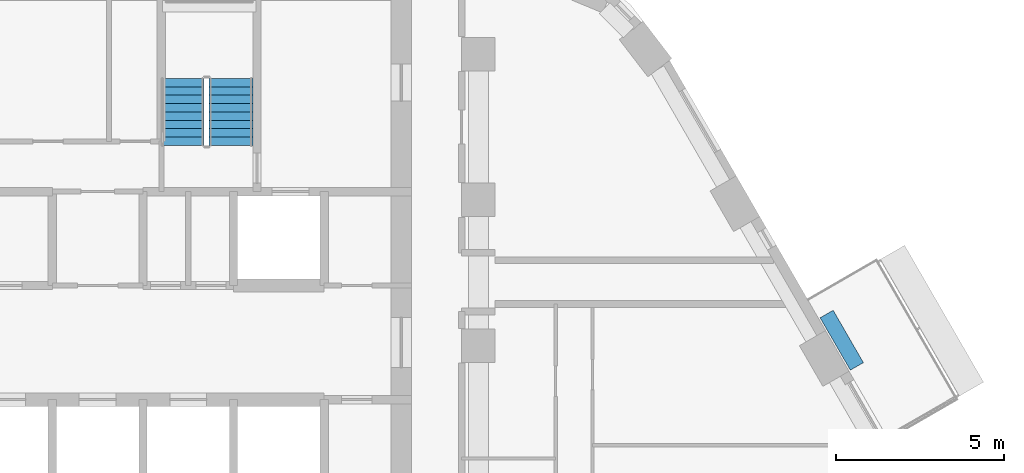
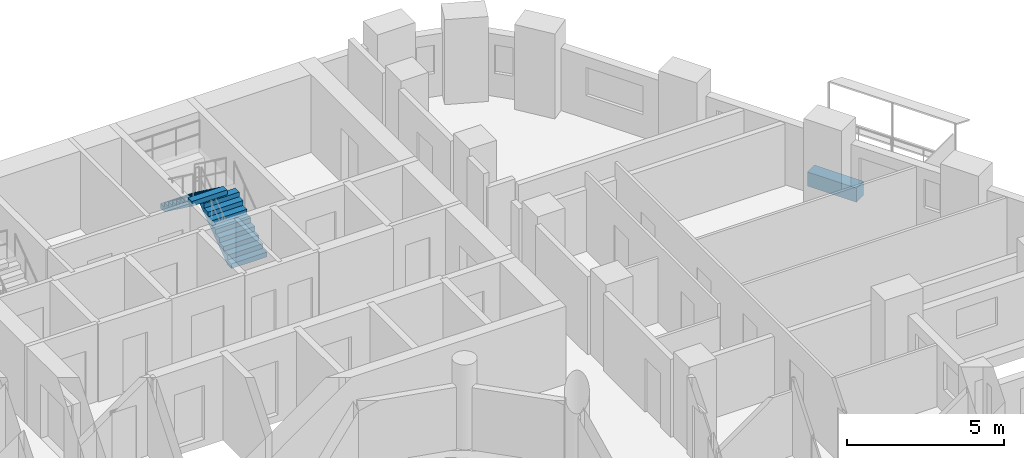
# One storey, part 9 of 13: 2 stair flights, 1 discrete accessory, 1 element without a shape of its own.
"""IFC4 building model written with IfcOpenShell, lengths in metres."""

from ifc_helpers import new_model, si_unit, direction, frame, origin, origin_2d, place, context, subcontext, project, spatial, polyline, rectangle, outline, extrude, material, type_object, element, aggregate, save


model = new_model("IFC4")

# Units and contexts
model_context = context("Model", 3, precision=1e-05, world=origin(), true_north=direction((0.0, 1.0)))
body_context = subcontext(model_context, "Body", "Model", "MODEL_VIEW")
ifc_project = project(units=[si_unit("LENGTHUNIT", "METRE"), si_unit("AREAUNIT", "SQUARE_METRE"), si_unit("VOLUMEUNIT", "CUBIC_METRE"), si_unit("PLANEANGLEUNIT", "RADIAN"), si_unit("MASSUNIT", "GRAM", prefix="KILO")], contexts=[model_context])

# Site, building, storey
site_placement = place(None, origin())
site = spatial("IfcSite", under=ifc_project, at=site_placement, CompositionType="ELEMENT")
building_placement = place(site_placement, origin())
building = spatial("IfcBuilding", under=site, at=building_placement, Name="Nakaniwa Court", CompositionType="ELEMENT")
storey_placement = place(building_placement, frame((0.0, 0.0, 84.300048828125)))
storey = spatial("IfcBuildingStorey", under=building, at=storey_placement, Name="L21", CompositionType="ELEMENT", Elevation=84.300048828125)

# Stair, stair flights
ifc_material_1 = material(Name="Concrete C80/100", Category="concrete")
stair_type = type_object("IfcStairType", Name="Dog leg stair 1300 wide 18 risers", PredefinedType="HALF_TURN_STAIR", material=ifc_material_1)
stair_placement = place(storey_placement, origin())
stair = element("IfcStair", 1, at=stair_placement, inside=storey, type_object=stair_type, Name="L21 Stair ST2", PredefinedType="HALF_TURN_STAIR")
stair_flight_type = type_object("IfcStairFlightType", Name="Stair flight 1300 wide 9 risers", PredefinedType="STRAIGHT", material=ifc_material_1)
stair_flight_1_placement = place(storey_placement, frame((82.625, 98.27490234375, 0.0), z_axis=(0.0, 0.0, 1.0), x_axis=(0.0, 1.0, 0.0)))
stair_flight_1 = element("IfcStairFlight", 2, at=stair_flight_1_placement, type_object=stair_flight_type, Name="ST2 flight 1", NumberOfRisers=9, NumberOfTreads=8, PredefinedType="STRAIGHT", RiserHeight=0.183333333, TreadLength=0.25, context=body_context, shape_type="SweptSolid", body=[
    extrude(outline(polyline([(0.0, 0.0), (0.0, 0.026123046875), (0.0, 0.052490234375), (0.0, 0.07861328125), (0.0, 0.104736328125), (0.0, 0.130859375), (0.0, 0.1572265625), (0.0, 0.183349609375), (0.25, 0.183349609375), (0.25, 0.36669921875), (0.5, 0.36669921875), (0.5, 0.550048828125), (0.75, 0.550048828125), (0.75, 0.7333984375), (1.0, 0.7333984375), (1.0, 0.916748046875), (1.25, 0.916748046875), (1.25, 1.10009765625), (1.5, 1.10009765625), (1.5, 1.283447265625), (1.75, 1.283447265625), (1.75, 1.466552734375), (2.0, 1.466552734375), (2.0, 1.64990234375), (2.0, 1.59716796875), (2.0, 1.54443359375), (2.0, 1.49169921875), (2.0, 1.43896484375), (2.0, 1.38623046875), (2.0, 1.33349609375), (2.0, 1.28076171875), (0.25341796875, 0.0), (0.0, 0.0)])), frame((0.0, 0.64990234375, 0.0), z_axis=(0.0, -1.0, 0.0), x_axis=(1.0, 0.0, 0.0)), (0.0, 0.0, 1.0), 1.300048828125),
])
stair_flight_2_placement = place(storey_placement, frame((81.175048828125, 100.27490234375, 1.64990234375), z_axis=(0.0, 0.0, 1.0), x_axis=(0.0, -1.0, 0.0)))
stair_flight_2 = element("IfcStairFlight", 3, at=stair_flight_2_placement, type_object=stair_flight_type, Name="ST2 flight 2", NumberOfRisers=9, NumberOfTreads=8, PredefinedType="STRAIGHT", RiserHeight=0.183333333, TreadLength=0.25, context=body_context, shape_type="SweptSolid", body=[
    extrude(outline(polyline([(0.0, 0.0), (0.0, 0.026123046875), (0.0, 0.052490234375), (0.0, 0.07861328125), (0.0, 0.104736328125), (0.0, 0.130859375), (0.0, 0.1572265625), (0.0, 0.183349609375), (0.25, 0.183349609375), (0.25, 0.36669921875), (0.5, 0.36669921875), (0.5, 0.550048828125), (0.75, 0.550048828125), (0.75, 0.7333984375), (1.0, 0.7333984375), (1.0, 0.916748046875), (1.25, 0.916748046875), (1.25, 1.10009765625), (1.5, 1.10009765625), (1.5, 1.283447265625), (1.75, 1.283447265625), (1.75, 1.466552734375), (2.0, 1.466552734375), (2.0, 1.64990234375), (2.0, 1.59716796875), (2.0, 1.54443359375), (2.0, 1.49169921875), (2.0, 1.43896484375), (2.0, 1.38623046875), (2.0, 1.33349609375), (2.0, 1.28076171875), (0.25341796875, 0.0), (0.0, 0.0)])), frame((0.0, 0.64990234375, 0.0), z_axis=(0.0, -1.0, 0.0), x_axis=(1.0, 0.0, 0.0)), (0.0, 0.0, 1.0), 1.300048828125),
])
aggregate(stair, [stair_flight_1, stair_flight_2])

# Discrete accessory
ifc_material_2 = material(Name="Precast concrete C40/50 planter with planted soil", Category="concrete")
discrete_accessory_type = type_object("IfcDiscreteAccessoryType", Name="Planter box charcoal concrete", PredefinedType="USERDEFINED", material=ifc_material_2)
discrete_accessory_placement = place(storey_placement, frame((100.83154296875, 92.46875, -0.05029296875), z_axis=(0.0, 0.0, 1.0), x_axis=(-0.499974304289, 0.866040238702, 0.0)))
element("IfcDiscreteAccessory", 4, at=discrete_accessory_placement, inside=storey, type_object=discrete_accessory_type, Name="L21 balcony PLANTER 01", ObjectType="PLANTER", PredefinedType="USERDEFINED", context=body_context, shape_type="SweptSolid", body=[
    extrude(rectangle(XDim=1.803955078125, YDim=0.449951171875, at=origin_2d()), origin(), (0.0, 0.0, 1.0), 0.550048828125),
])

save(model, "model.ifc")
